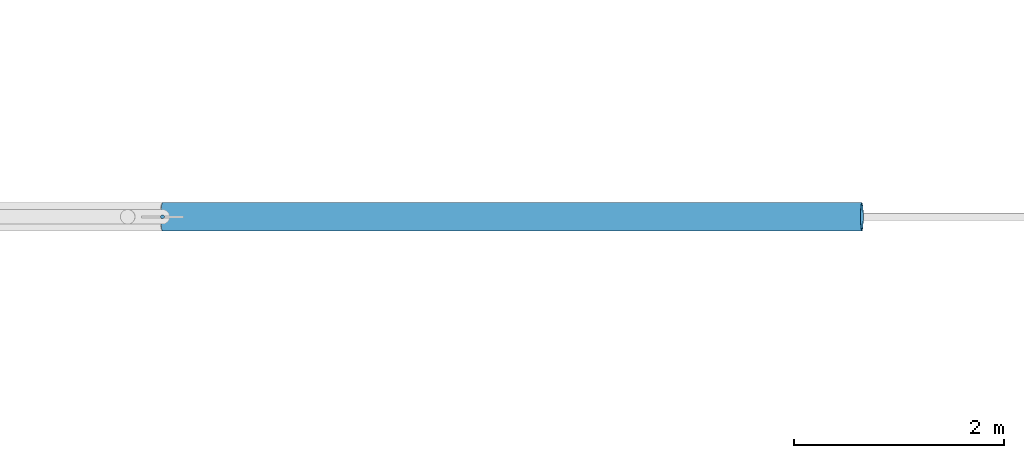
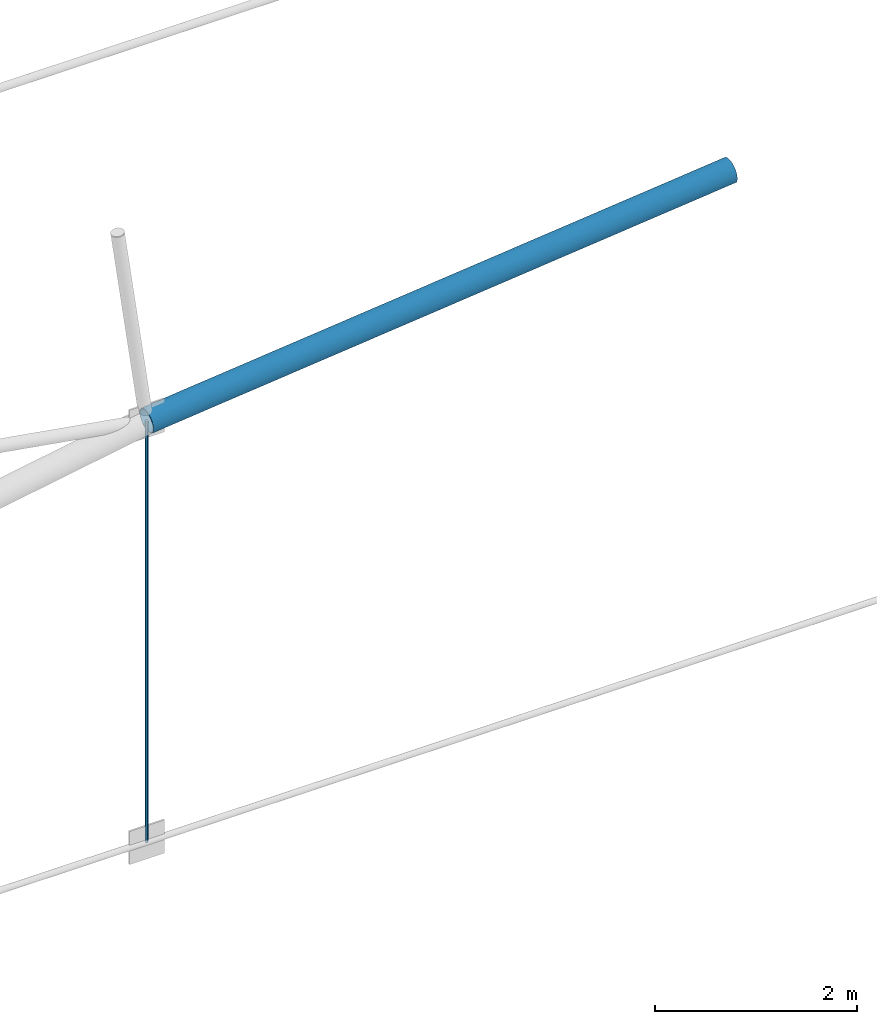
# One storey, part 62 of 321: 2 members.
"""IFC4 building model written with IfcOpenShell, lengths in metres."""

from ifc_helpers import new_model, si_unit, direction, frame, origin, origin_2d, place, context, subcontext, project, spatial, circle, hollow_circle, extrude, material, material_profile, profile_set, type_object, element, save


model = new_model("IFC4")

# Units and contexts
model_context = context("Model", 3, precision=1e-05, world=origin(), true_north=direction((0.0, 1.0)))
body_context = subcontext(model_context, "Body", "Model", "MODEL_VIEW")
ifc_project = project(units=[si_unit("LENGTHUNIT", "METRE"), si_unit("AREAUNIT", "SQUARE_METRE"), si_unit("VOLUMEUNIT", "CUBIC_METRE"), si_unit("PLANEANGLEUNIT", "RADIAN"), si_unit("MASSUNIT", "GRAM", prefix="KILO")], contexts=[model_context])

# Site, building, storey
site_placement = place(None, origin())
site = spatial("IfcSite", under=ifc_project, at=site_placement, CompositionType="ELEMENT")
building_placement = place(site_placement, origin())
building = spatial("IfcBuilding", under=site, at=building_placement, Name="Ravi Spectrum Wholesale Market", CompositionType="ELEMENT")
storey_placement = place(building_placement, frame((0.0, 0.0, 10.800048828125)))
storey = spatial("IfcBuildingStorey", under=building, at=storey_placement, Name="L02", CompositionType="ELEMENT", Elevation=10.800048828125)

# Members
ifc_material_1 = material(Name="Steel S355", Category="steel")
ifc_material_profile_1 = material_profile(ifc_material_1, hollow_circle(Radius=0.136474609375, WallThickness=0.010009765625, at=origin_2d()))
ifc_profile_set_1 = profile_set([ifc_material_profile_1], Name="Steel S355")
member_type_1 = type_object("IfcMemberType", Name="CHS 273x10 chord", PredefinedType="CHORD", material=ifc_profile_set_1)
member_1_placement = place(storey_placement, frame((56.648193359375, 90.0, 5.1025390625), z_axis=(0.994646786479, 0.0, 0.103333296414), x_axis=(0.0, 1.0, 0.0)))
element("IfcMember", 1, at=member_1_placement, inside=storey, type_object=member_type_1, Name="H1-MB-L02-452", PredefinedType="CHORD", context=body_context, shape_type="SweptSolid", body=[
    extrude(hollow_circle(Radius=0.136474609375, WallThickness=0.010009765625, at=origin_2d()), origin(), (0.0, 0.0, 1.0), 6.69580078125),
])
ifc_material_2 = material(Name="Steel S355", Category="steel")
ifc_material_profile_2 = material_profile(ifc_material_2, circle(Radius=0.01806640625, at=origin_2d()))
ifc_profile_set_2 = profile_set([ifc_material_profile_2], Name="Steel S355")
member_type_2 = type_object("IfcMemberType", Name="ROD 36 hanger", PredefinedType="STRUT", material=ifc_profile_set_2)
member_2_placement = place(storey_placement, frame((56.648193359375, 90.0, 0.023193359375), z_axis=(0.0, 0.0, 1.0), x_axis=(1.0, 0.0, 0.0)))
element("IfcMember", 2, at=member_2_placement, inside=storey, type_object=member_type_2, Name="H1-MB-L02-483", PredefinedType="STRUT", context=body_context, shape_type="SweptSolid", body=[
    extrude(circle(Radius=0.01806640625, at=origin_2d()), origin(), (0.0, 0.0, 1.0), 5.079345703125),
])

save(model, "model.ifc")
